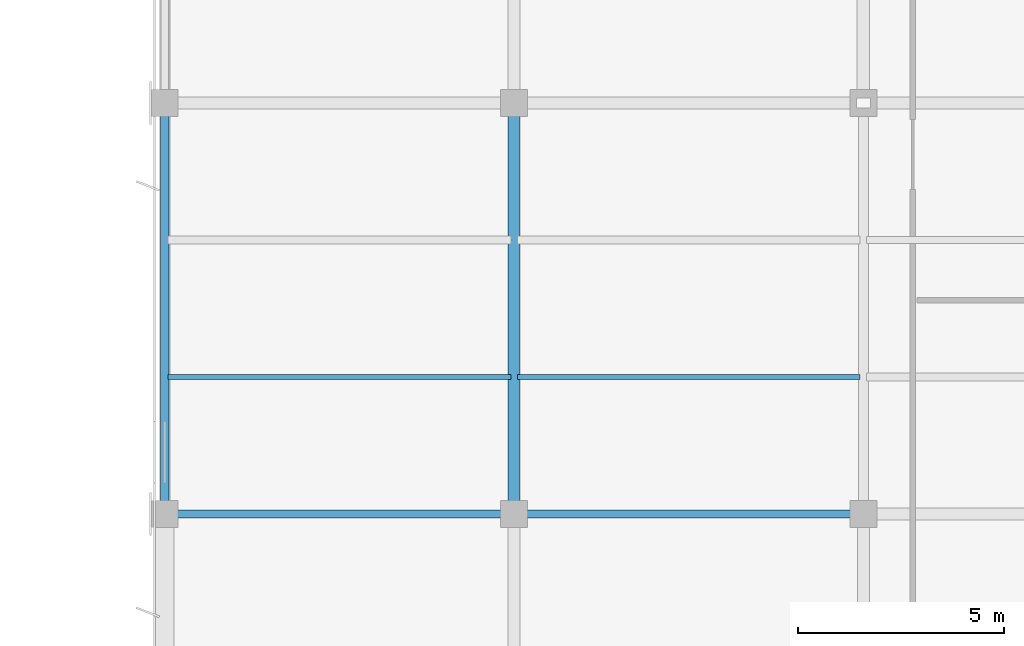
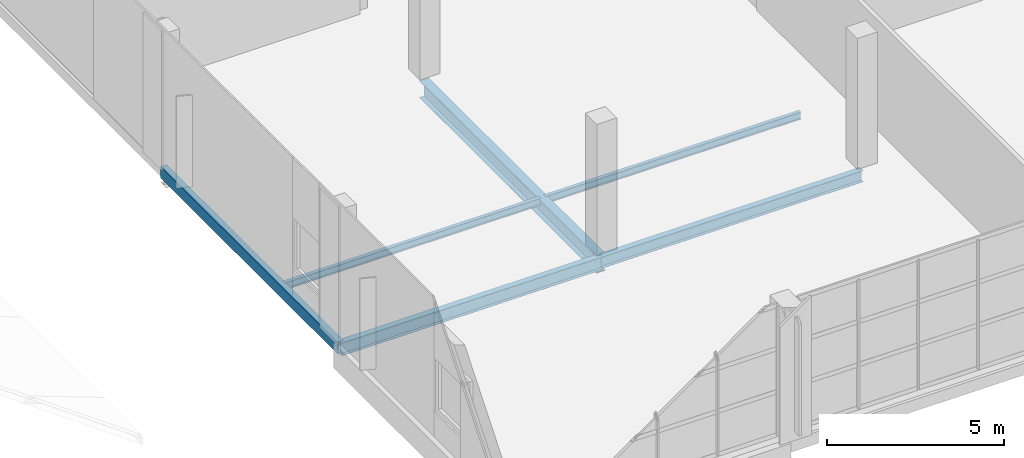
# One storey, part 5 of 66: 6 beams.
"""IFC4 building model written with IfcOpenShell, lengths in metres."""

from ifc_helpers import new_model, si_unit, direction, frame, origin, origin_2d, place, context, subcontext, project, spatial, hollow_rectangle, i_section, extrude, material, material_profile, profile_set, type_object, element, save


model = new_model("IFC4")

# Units and contexts
model_context = context("Model", 3, precision=1e-05, world=origin(), true_north=direction((0.0, 1.0)))
body_context = subcontext(model_context, "Body", "Model", "MODEL_VIEW")
ifc_project = project(units=[si_unit("LENGTHUNIT", "METRE"), si_unit("AREAUNIT", "SQUARE_METRE"), si_unit("VOLUMEUNIT", "CUBIC_METRE"), si_unit("PLANEANGLEUNIT", "RADIAN"), si_unit("MASSUNIT", "GRAM", prefix="KILO")], contexts=[model_context])

# Site, building, storey
site_placement = place(None, origin())
site = spatial("IfcSite", under=ifc_project, at=site_placement, CompositionType="ELEMENT")
building_placement = place(site_placement, origin())
building = spatial("IfcBuilding", under=site, at=building_placement, Name="Solvikara Media Centre", CompositionType="ELEMENT")
storey_placement = place(building_placement, frame((0.0, 0.0, 19.800048828125)))
storey = spatial("IfcBuildingStorey", under=building, at=storey_placement, Name="L04", CompositionType="ELEMENT", Elevation=19.800048828125)

# Beams
ifc_material = material(Name="Steel S355JR", Category="steel")
ifc_material_profile_1 = material_profile(ifc_material, i_section(OverallWidth=0.125, OverallDepth=0.25, WebThickness=0.006103515625, FlangeThickness=0.009033203125, at=origin_2d()), Name="WF 250x125x6x9")
ifc_profile_set_1 = profile_set([ifc_material_profile_1], Name="Steel S355JR")
beam_type_1 = type_object("IfcBeamType", Name="BM-24", PredefinedType="JOIST", material=ifc_profile_set_1)
beam_1_placement = place(storey_placement, frame((42.577880859375, 13.8330078125, -0.406982421875), z_axis=(1.0, 0.0, 0.0), x_axis=(0.0, 1.0, 0.0)))
element("IfcBeam", 1, at=beam_1_placement, inside=storey, type_object=beam_type_1, Name="J-L04-1596", PredefinedType="JOIST", context=body_context, shape_type="SweptSolid", body=[
    extrude(i_section(OverallWidth=0.125, OverallDepth=0.25, WebThickness=0.006103515625, FlangeThickness=0.009033203125, at=origin_2d()), origin(), (0.0, 0.0, 1.0), 8.34423828125),
])
ifc_material_profile_2 = material_profile(ifc_material, i_section(OverallWidth=0.300048828125, OverallDepth=0.587890625, WebThickness=0.011962890625, FlangeThickness=0.02001953125, at=origin_2d()), Name="H 588x300x12x20")
ifc_profile_set_2 = profile_set([ifc_material_profile_2], Name="Steel S355JR")
beam_type_2 = type_object("IfcBeamType", Name="BM-26", PredefinedType="BEAM", material=ifc_profile_set_2)
beam_2_placement = place(storey_placement, frame((42.5, 10.5, -0.575927734375), z_axis=(0.0, 1.0, 0.0), x_axis=(-1.0, 0.0, 0.0)))
element("IfcBeam", 2, at=beam_2_placement, inside=storey, type_object=beam_type_2, Name="B-L04-Y1518", PredefinedType="BEAM", context=body_context, shape_type="SweptSolid", body=[
    extrude(i_section(OverallWidth=0.300048828125, OverallDepth=0.587890625, WebThickness=0.011962890625, FlangeThickness=0.02001953125, at=origin_2d()), origin(), (0.0, 0.0, 1.0), 10.0),
])
ifc_material_profile_3 = material_profile(ifc_material, hollow_rectangle(XDim=0.199951171875, YDim=0.39990234375, WallThickness=0.011962890625, at=origin_2d()), Name="RHS 400x200x12")
ifc_profile_set_3 = profile_set([ifc_material_profile_3], Name="Steel S355JR")
beam_type_3 = type_object("IfcBeamType", Name="BM-33", PredefinedType="SPANDREL", material=ifc_profile_set_3)
beam_3_placement = place(storey_placement, frame((34.0, 10.5, -0.48193359375), z_axis=(0.0, 1.0, 0.0), x_axis=(-1.0, 0.0, 0.0)))
element("IfcBeam", 3, at=beam_3_placement, inside=storey, type_object=beam_type_3, Name="B-L04-Y1509", PredefinedType="SPANDREL", context=body_context, shape_type="SweptSolid", body=[
    extrude(hollow_rectangle(XDim=0.199951171875, YDim=0.39990234375, WallThickness=0.011962890625, at=origin_2d()), origin(), (0.0, 0.0, 1.0), 10.0),
])
ifc_material_profile_4 = material_profile(ifc_material, i_section(OverallWidth=0.1240234375, OverallDepth=0.248046875, WebThickness=0.0048828125, FlangeThickness=0.008056640625, at=origin_2d()), Name="WF 248x124x5x8")
ifc_profile_set_4 = profile_set([ifc_material_profile_4], Name="Steel S355JR")
beam_type_4 = type_object("IfcBeamType", Name="BM-40", PredefinedType="JOIST", material=ifc_profile_set_4)
beam_4_placement = place(storey_placement, frame((34.077880859375, 13.8330078125, -0.406005859375), z_axis=(1.0, 0.0, 0.0), x_axis=(0.0, 1.0, 0.0)))
element("IfcBeam", 4, at=beam_4_placement, inside=storey, type_object=beam_type_4, Name="J-L04-1592", PredefinedType="JOIST", context=body_context, shape_type="SweptSolid", body=[
    extrude(i_section(OverallWidth=0.1240234375, OverallDepth=0.248046875, WebThickness=0.0048828125, FlangeThickness=0.008056640625, at=origin_2d()), origin(), (0.0, 0.0, 1.0), 8.34423828125),
])
ifc_material_profile_5 = material_profile(ifc_material, i_section(OverallWidth=0.198974609375, OverallDepth=0.446044921875, WebThickness=0.008056640625, FlangeThickness=0.011962890625, at=origin_2d()), Name="H 446x199x8x12")
ifc_profile_set_5 = profile_set([ifc_material_profile_5], Name="Steel S355JR")
beam_type_5 = type_object("IfcBeamType", Name="BM-43", PredefinedType="BEAM", material=ifc_profile_set_5)
beam_5_placement = place(storey_placement, frame((34.0, 10.5, -0.505126953125), z_axis=(1.0, 0.0, 0.0), x_axis=(0.0, 1.0, 0.0)))
element("IfcBeam", 5, at=beam_5_placement, inside=storey, type_object=beam_type_5, Name="B-L04-X1441", PredefinedType="BEAM", context=body_context, shape_type="SweptSolid", body=[
    extrude(i_section(OverallWidth=0.198974609375, OverallDepth=0.446044921875, WebThickness=0.008056640625, FlangeThickness=0.011962890625, at=origin_2d()), origin(), (0.0, 0.0, 1.0), 8.5),
])
ifc_material_profile_6 = material_profile(ifc_material, i_section(OverallWidth=0.198974609375, OverallDepth=0.39599609375, WebThickness=0.007080078125, FlangeThickness=0.010986328125, at=origin_2d()), Name="H 396x199x7x11")
ifc_profile_set_6 = profile_set([ifc_material_profile_6], Name="Steel S355JR")
beam_type_6 = type_object("IfcBeamType", Name="BM-44", PredefinedType="BEAM", material=ifc_profile_set_6)
beam_6_placement = place(storey_placement, frame((42.5, 10.5, -0.47998046875), z_axis=(1.0, 0.0, 0.0), x_axis=(0.0, 1.0, 0.0)))
element("IfcBeam", 6, at=beam_6_placement, inside=storey, type_object=beam_type_6, Name="B-L04-X1442", PredefinedType="BEAM", context=body_context, shape_type="SweptSolid", body=[
    extrude(i_section(OverallWidth=0.198974609375, OverallDepth=0.39599609375, WebThickness=0.007080078125, FlangeThickness=0.010986328125, at=origin_2d()), origin(), (0.0, 0.0, 1.0), 8.5),
])

save(model, "model.ifc")
